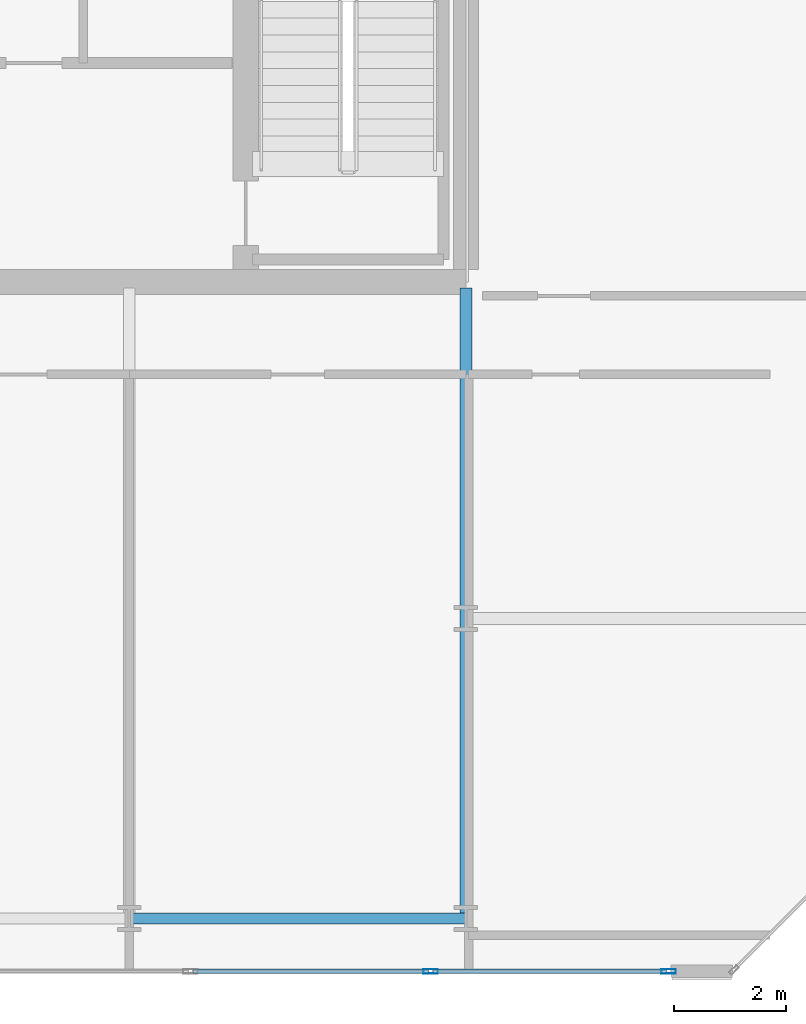
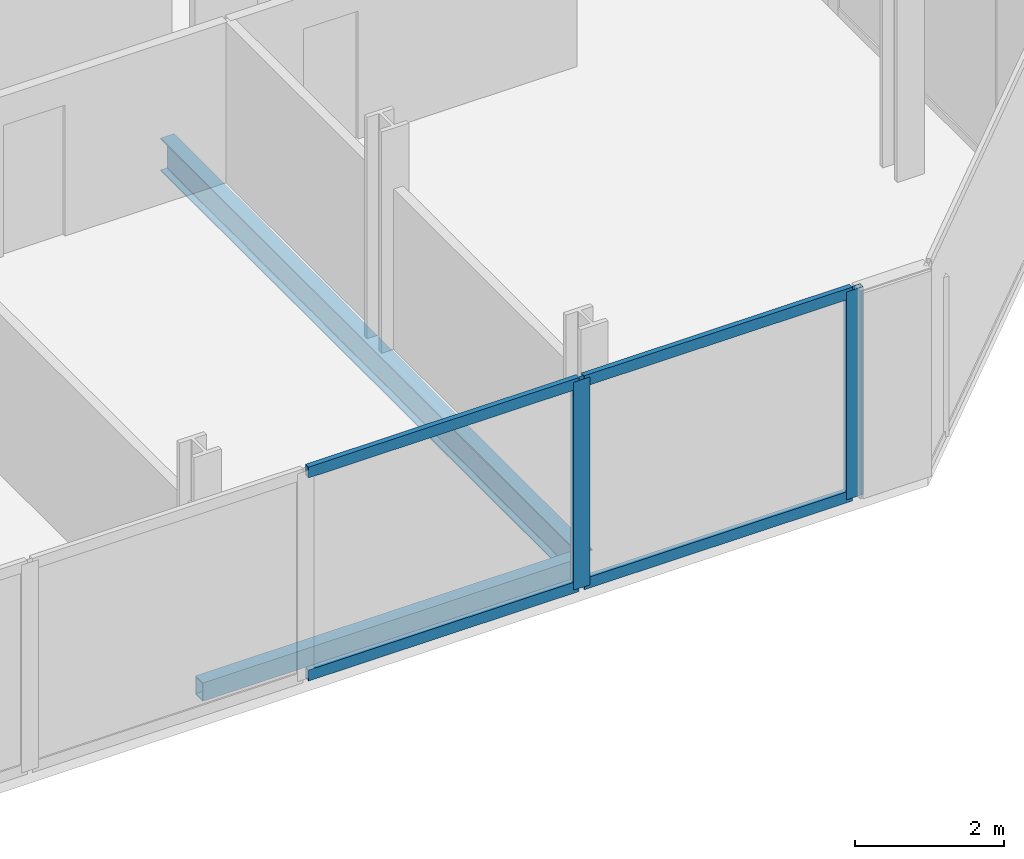
# One storey, part 8 of 19: 6 members, 2 beams, 1 element without a shape of its own.
"""IFC4 building model written with IfcOpenShell, lengths in metres."""

from ifc_helpers import new_model, si_unit, direction, frame, origin, origin_2d, place, context, subcontext, project, spatial, hollow_rectangle, i_section, extrude, material, layer, layer_set, material_profile, profile_set, type_object, element, aggregate, save


model = new_model("IFC4")

# Units and contexts
model_context = context("Model", 3, precision=1e-05, world=origin(), true_north=direction((0.0, 1.0)))
body_context = subcontext(model_context, "Body", "Model", "MODEL_VIEW")
ifc_project = project(units=[si_unit("LENGTHUNIT", "METRE"), si_unit("AREAUNIT", "SQUARE_METRE"), si_unit("VOLUMEUNIT", "CUBIC_METRE"), si_unit("PLANEANGLEUNIT", "RADIAN"), si_unit("MASSUNIT", "GRAM", prefix="KILO")], contexts=[model_context])

# Site, building, storey
site_placement = place(None, origin())
site = spatial("IfcSite", under=ifc_project, at=site_placement, CompositionType="ELEMENT")
building_placement = place(site_placement, origin())
building = spatial("IfcBuilding", under=site, at=building_placement, Name="Tanjung Sevakor Pilgrim Tower", CompositionType="ELEMENT")
storey_placement = place(building_placement, frame((0.0, 0.0, 260.699951171875)))
storey = spatial("IfcBuildingStorey", under=building, at=storey_placement, Name="L73", CompositionType="ELEMENT", Elevation=260.699951171875)

# Beams
ifc_material_1 = material(Name="Steel S355J2", Category="steel")
ifc_material_profile_1 = material_profile(ifc_material_1, i_section(OverallWidth=0.210693359375, OverallDepth=0.53955078125, WebThickness=0.01171875, FlangeThickness=0.018798828125, FilletRadius=0.0126953125, at=origin_2d()))
ifc_profile_set_1 = profile_set([ifc_material_profile_1], Name="Steel S355J2")
beam_type_1 = type_object("IfcBeamType", Name="BM-B-G6-UB_533x210x109", PredefinedType="BEAM", material=ifc_profile_set_1)
beam_1_placement = place(storey_placement, frame((90.0, 13.25, -0.48974609375), z_axis=(0.0, 1.0, 0.0), x_axis=(-1.0, 0.0, 0.0)))
element("IfcBeam", 1, at=beam_1_placement, inside=storey, type_object=beam_type_1, Name="L73 EAST Girder 009", PredefinedType="BEAM", context=body_context, shape_type="SweptSolid", body=[
    extrude(i_section(OverallWidth=0.210693359375, OverallDepth=0.53955078125, WebThickness=0.01171875, FlangeThickness=0.018798828125, FilletRadius=0.0126953125, at=origin_2d()), origin(), (0.0, 0.0, 1.0), 11.243896484375),
])
ifc_material_2 = material(Name="Steel S355J2", Category="steel")
ifc_material_profile_2 = material_profile(ifc_material_2, hollow_rectangle(XDim=0.199951171875, YDim=0.300048828125, WallThickness=0.012451171875, at=origin_2d()))
ifc_profile_set_2 = profile_set([ifc_material_profile_2], Name="Steel S355J2")
beam_type_2 = type_object("IfcBeamType", Name="BM-B-SP3-RHS_300x200x12.5", PredefinedType="SPANDREL", material=ifc_profile_set_2)
beam_2_placement = place(storey_placement, frame((84.0, 13.25, -0.369873046875), z_axis=(1.0, 0.0, 0.0), x_axis=(0.0, 1.0, 0.0)))
element("IfcBeam", 2, at=beam_2_placement, inside=storey, type_object=beam_type_2, Name="L73 Spandrel EAST S-05", PredefinedType="SPANDREL", context=body_context, shape_type="SweptSolid", body=[
    extrude(hollow_rectangle(XDim=0.199951171875, YDim=0.300048828125, WallThickness=0.012451171875, at=origin_2d()), origin(), (0.0, 0.0, 1.0), 6.0),
])

# Curtain wall, members
ifc_material_3 = material(Name="Aluminium 6063-T6 and Low-E Glass", Category="aluminium")
ifc_layer = layer(ifc_material_3, 0.219970703125)
ifc_layer_set = layer_set([ifc_layer], Name="CW-SYS-CRNE")
curtain_wall_type = type_object("IfcCurtainWallType", Name="CW-SYS-CRNE", PredefinedType="NOTDEFINED", material=ifc_layer_set)
curtain_wall_placement = place(storey_placement, origin())
curtain_wall = element("IfcCurtainWall", 3, at=curtain_wall_placement, inside=storey, type_object=curtain_wall_type, Name="L73 Curtain Wall CW-CRN-L73-EAST-0-1", PredefinedType="NOTDEFINED")
ifc_material_4 = material(Name="Aluminium 6063-T6", Category="aluminium")
ifc_material_profile_3 = material_profile(ifc_material_4, hollow_rectangle(XDim=0.080078125, YDim=0.260009765625, WallThickness=0.0048828125, at=origin_2d()))
ifc_profile_set_3 = profile_set([ifc_material_profile_3], Name="Aluminium 6063-T6")
member_type_1 = type_object("IfcMemberType", Name="TYPE-CWM-3", PredefinedType="MULLION", material=ifc_profile_set_3)
member_1_placement = place(storey_placement, frame((89.37255859375, 12.31005859375, 0.0), z_axis=(0.0, 0.0, 1.0), x_axis=(0.0, 1.0, 0.0)))
member_1 = element("IfcMember", 4, at=member_1_placement, type_object=member_type_1, Name="CW-CRE mullion 5", PredefinedType="MULLION", context=body_context, shape_type="SweptSolid", body=[
    extrude(hollow_rectangle(XDim=0.080078125, YDim=0.260009765625, WallThickness=0.0048828125, at=origin_2d()), origin(), (0.0, 0.0, 1.0), 3.41015625),
])
member_2_placement = place(storey_placement, frame((93.614501953125, 12.31005859375, 0.0), z_axis=(0.0, 0.0, 1.0), x_axis=(0.0, 1.0, 0.0)))
member_2 = element("IfcMember", 5, at=member_2_placement, type_object=member_type_1, Name="CW-CRE mullion 6", PredefinedType="MULLION", context=body_context, shape_type="SweptSolid", body=[
    extrude(hollow_rectangle(XDim=0.080078125, YDim=0.260009765625, WallThickness=0.0048828125, at=origin_2d()), origin(), (0.0, 0.0, 1.0), 3.41015625),
])
ifc_material_5 = material(Name="Aluminium 6063-T6", Category="aluminium")
ifc_material_profile_4 = material_profile(ifc_material_5, hollow_rectangle(XDim=0.080078125, YDim=0.179931640625, WallThickness=0.0048828125, at=origin_2d()))
ifc_profile_set_4 = profile_set([ifc_material_profile_4], Name="Aluminium 6063-T6")
member_type_2 = type_object("IfcMemberType", Name="TYPE-CWT-3", PredefinedType="USERDEFINED", material=ifc_profile_set_4)
member_3_placement = place(storey_placement, frame((85.130859375, 12.31005859375, 0.0400390625), z_axis=(1.0, 0.0, 0.0), x_axis=(0.0, 1.0, 0.0)))
member_3 = element("IfcMember", 6, at=member_3_placement, type_object=member_type_2, Name="CW-CRE transom 4.1", ObjectType="TRANSOM", PredefinedType="USERDEFINED", context=body_context, shape_type="SweptSolid", body=[
    extrude(hollow_rectangle(XDim=0.080078125, YDim=0.179931640625, WallThickness=0.0048828125, at=origin_2d()), origin(), (0.0, 0.0, 1.0), 4.20166015625),
])
member_4_placement = place(storey_placement, frame((85.130859375, 12.31005859375, 3.3701171875), z_axis=(1.0, 0.0, 0.0), x_axis=(0.0, 1.0, 0.0)))
member_4 = element("IfcMember", 7, at=member_4_placement, type_object=member_type_2, Name="CW-CRE transom 4.2", ObjectType="TRANSOM", PredefinedType="USERDEFINED", context=body_context, shape_type="SweptSolid", body=[
    extrude(hollow_rectangle(XDim=0.080078125, YDim=0.179931640625, WallThickness=0.0048828125, at=origin_2d()), origin(), (0.0, 0.0, 1.0), 4.20166015625),
])
member_5_placement = place(storey_placement, frame((89.41259765625, 12.31005859375, 0.0400390625), z_axis=(1.0, 0.0, 0.0), x_axis=(0.0, 1.0, 0.0)))
member_5 = element("IfcMember", 8, at=member_5_placement, type_object=member_type_2, Name="CW-CRE transom 5.1", ObjectType="TRANSOM", PredefinedType="USERDEFINED", context=body_context, shape_type="SweptSolid", body=[
    extrude(hollow_rectangle(XDim=0.080078125, YDim=0.179931640625, WallThickness=0.0048828125, at=origin_2d()), origin(), (0.0, 0.0, 1.0), 4.161865234375),
])
member_6_placement = place(storey_placement, frame((89.41259765625, 12.31005859375, 3.3701171875), z_axis=(1.0, 0.0, 0.0), x_axis=(0.0, 1.0, 0.0)))
member_6 = element("IfcMember", 9, at=member_6_placement, type_object=member_type_2, Name="CW-CRE transom 5.2", ObjectType="TRANSOM", PredefinedType="USERDEFINED", context=body_context, shape_type="SweptSolid", body=[
    extrude(hollow_rectangle(XDim=0.080078125, YDim=0.179931640625, WallThickness=0.0048828125, at=origin_2d()), origin(), (0.0, 0.0, 1.0), 4.161865234375),
])
aggregate(curtain_wall, [member_1, member_2, member_3, member_4, member_5, member_6])

save(model, "model.ifc")
